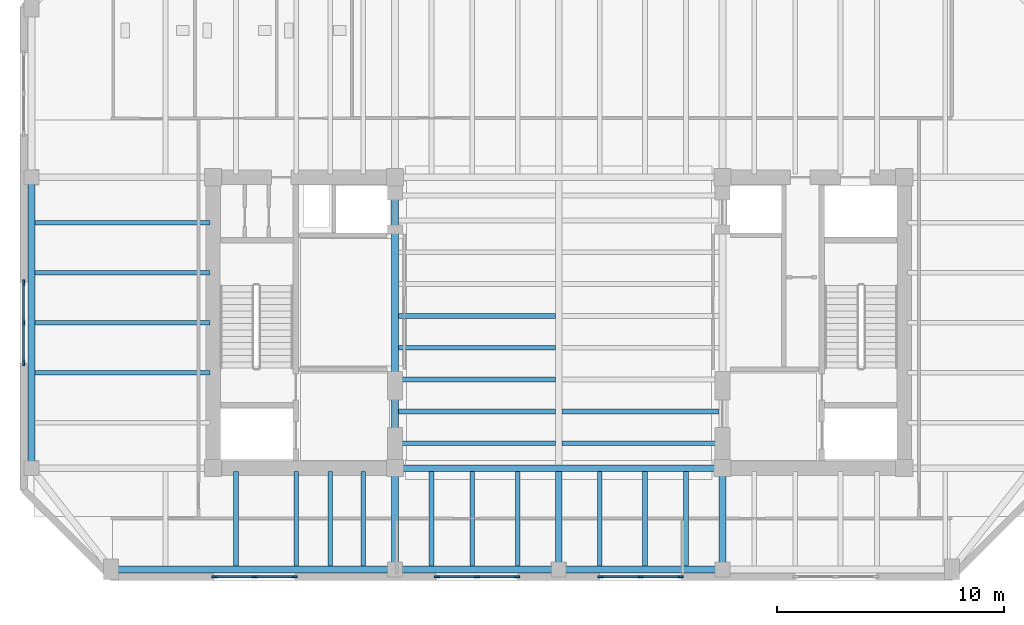
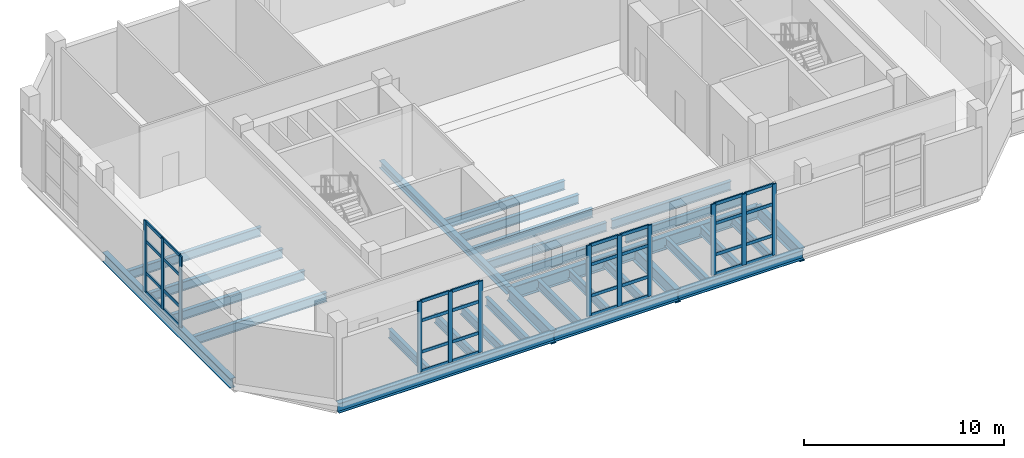
# One storey, part 2 of 11: 44 members, 30 beams, 4 elements without a shape of their own.
"""IFC4 building model written with IfcOpenShell, lengths in metres."""

from ifc_helpers import new_model, si_unit, direction, frame, origin, origin_2d, place, context, subcontext, project, spatial, rectangle, i_section, extrude, material, layer, layer_set, material_profile, profile_set, type_object, element, aggregate, save


model = new_model("IFC4")

# Units and contexts
model_context = context("Model", 3, precision=1e-05, world=origin(), true_north=direction((0.0, 1.0)))
body_context = subcontext(model_context, "Body", "Model", "MODEL_VIEW")
ifc_project = project(units=[si_unit("LENGTHUNIT", "METRE"), si_unit("AREAUNIT", "SQUARE_METRE"), si_unit("VOLUMEUNIT", "CUBIC_METRE"), si_unit("PLANEANGLEUNIT", "RADIAN"), si_unit("MASSUNIT", "GRAM", prefix="KILO")], contexts=[model_context])

# Site, building, storey
site_placement = place(None, origin())
site = spatial("IfcSite", under=ifc_project, at=site_placement, CompositionType="ELEMENT")
building_placement = place(site_placement, origin())
building = spatial("IfcBuilding", under=site, at=building_placement, Name="Kranthara Brick Stack", CompositionType="ELEMENT")
storey_placement = place(building_placement, frame((0.0, 0.0, 287.39990234375)))
storey = spatial("IfcBuildingStorey", under=building, at=storey_placement, Name="L76", CompositionType="ELEMENT", Elevation=287.39990234375)

# Beams
ifc_material_1 = material(Name="Steel S355", Category="steel")
ifc_material_profile_1 = material_profile(ifc_material_1, i_section(OverallWidth=0.2099609375, OverallDepth=0.550048828125, WebThickness=0.010986328125, FlangeThickness=0.01708984375, at=origin_2d()), Name="IPE 550")
ifc_profile_set_1 = profile_set([ifc_material_profile_1], Name="Steel S355")
beam_type_1 = type_object("IfcBeamType", Name="BM-JST-IPE550", PredefinedType="JOIST", material=ifc_profile_set_1)
for number, where, z_axis, x_axis, name in (
    (1, (20.949951171875, 21.89990234375, -0.724853515625), (1.0, 0.0, 0.0), (0.0, 1.0, 0.0), "L76 Central Floor Joist 032"),
    (2, (28.14990234375, 21.89990234375, -0.724853515625), (1.0, 0.0, 0.0), (0.0, 1.0, 0.0), "L76 Central Floor Joist 033"),
    (3, (20.949951171875, 23.300048828125, -0.724853515625), (1.0, 0.0, 0.0), (0.0, 1.0, 0.0), "L76 Central Floor Joist 034"),
    (4, (28.14990234375, 23.300048828125, -0.724853515625), (1.0, 0.0, 0.0), (0.0, 1.0, 0.0), "L76 Central Floor Joist 035"),
    (5, (20.949951171875, 24.699951171875, -0.724853515625), (1.0, 0.0, 0.0), (0.0, 1.0, 0.0), "L76 Central Floor Joist 036"),
    (6, (20.949951171875, 26.10009765625, -0.724853515625), (1.0, 0.0, 0.0), (0.0, 1.0, 0.0), "L76 Central Floor Joist 038"),
    (7, (20.949951171875, 27.5, -0.724853515625), (1.0, 0.0, 0.0), (0.0, 1.0, 0.0), "L76 Central Floor Joist 040"),
):
    element("IfcBeam", number, at=place(storey_placement, frame(where, z_axis=z_axis, x_axis=x_axis)), inside=storey, type_object=beam_type_1, Name=name, PredefinedType="JOIST", context=body_context, shape_type="SweptSolid", body=[
        extrude(i_section(OverallWidth=0.2099609375, OverallDepth=0.550048828125, WebThickness=0.010986328125, FlangeThickness=0.01708984375, at=origin_2d()), origin(), (0.0, 0.0, 1.0), 6.900146484375),
    ])
for number, where, z_axis, x_axis, name in (
    (8, (13.800048828125, 16.5, -0.724853515625), (0.0, 1.0, 0.0), (-1.0, 0.0, 0.0), "L76 South Wing Floor Joist 052"),
    (9, (16.449951171875, 16.5, -0.724853515625), (0.0, 1.0, 0.0), (-1.0, 0.0, 0.0), "L76 South Wing Floor Joist 054"),
    (10, (17.949951171875, 16.5, -0.724853515625), (0.0, 1.0, 0.0), (-1.0, 0.0, 0.0), "L76 South Wing Floor Joist 056"),
    (11, (19.39990234375, 16.5, -0.724853515625), (0.0, 1.0, 0.0), (-1.0, 0.0, 0.0), "L76 South Wing Floor Joist 058"),
    (12, (22.39990234375, 16.5, -0.724853515625), (0.0, 1.0, 0.0), (-1.0, 0.0, 0.0), "L76 South Wing Floor Joist 060"),
    (13, (24.199951171875, 16.5, -0.724853515625), (0.0, 1.0, 0.0), (-1.0, 0.0, 0.0), "L76 South Wing Floor Joist 062"),
    (14, (26.199951171875, 16.5, -0.724853515625), (0.0, 1.0, 0.0), (-1.0, 0.0, 0.0), "L76 South Wing Floor Joist 064"),
    (15, (29.800048828125, 16.5, -0.724853515625), (0.0, 1.0, 0.0), (-1.0, 0.0, 0.0), "L76 South Wing Floor Joist 066"),
    (16, (31.800048828125, 16.5, -0.724853515625), (0.0, 1.0, 0.0), (-1.0, 0.0, 0.0), "L76 South Wing Floor Joist 068"),
    (17, (33.60009765625, 16.5, -0.724853515625), (0.0, 1.0, 0.0), (-1.0, 0.0, 0.0), "L76 South Wing Floor Joist 070"),
):
    element("IfcBeam", number, at=place(storey_placement, frame(where, z_axis=z_axis, x_axis=x_axis)), inside=storey, type_object=beam_type_1, Name=name, PredefinedType="JOIST", context=body_context, shape_type="SweptSolid", body=[
        extrude(i_section(OverallWidth=0.2099609375, OverallDepth=0.550048828125, WebThickness=0.010986328125, FlangeThickness=0.01708984375, at=origin_2d()), origin(), (0.0, 0.0, 1.0), 4.14990234375),
    ])
for number, where, z_axis, x_axis, name in (
    (18, (4.949951171875, 25.0, -0.724853515625), (1.0, 0.0, 0.0), (0.0, 1.0, 0.0), "L76 West Wing Floor Joist 084"),
    (19, (4.949951171875, 27.199951171875, -0.724853515625), (1.0, 0.0, 0.0), (0.0, 1.0, 0.0), "L76 West Wing Floor Joist 086"),
    (20, (4.949951171875, 29.39990234375, -0.724853515625), (1.0, 0.0, 0.0), (0.0, 1.0, 0.0), "L76 West Wing Floor Joist 088"),
    (21, (4.949951171875, 31.60009765625, -0.724853515625), (1.0, 0.0, 0.0), (0.0, 1.0, 0.0), "L76 West Wing Floor Joist 090"),
):
    element("IfcBeam", number, at=place(storey_placement, frame(where, z_axis=z_axis, x_axis=x_axis)), inside=storey, type_object=beam_type_1, Name=name, PredefinedType="JOIST", context=body_context, shape_type="SweptSolid", body=[
        extrude(i_section(OverallWidth=0.2099609375, OverallDepth=0.550048828125, WebThickness=0.010986328125, FlangeThickness=0.01708984375, at=origin_2d()), origin(), (0.0, 0.0, 1.0), 7.699951171875),
    ])
ifc_material_2 = material(Name="Steel S355", Category="steel")
ifc_material_profile_2 = material_profile(ifc_material_2, i_section(OverallWidth=0.300048828125, OverallDepth=0.449951171875, WebThickness=0.013916015625, FlangeThickness=0.02587890625, at=origin_2d()), Name="HEB 450")
ifc_profile_set_2 = profile_set([ifc_material_profile_2], Name="Steel S355")
beam_type_2 = type_object("IfcBeamType", Name="BM-STL-HEB450", PredefinedType="SPANDREL", material=ifc_profile_set_2)
beam_1_placement = place(storey_placement, frame((20.800048828125, 20.800048828125, -0.6748046875), z_axis=(0.0, 1.0, 0.0), x_axis=(-1.0, 0.0, 0.0)))
element("IfcBeam", 22, at=beam_1_placement, inside=storey, type_object=beam_type_2, Name="L76 Core Edge Tie Beam 003", PredefinedType="SPANDREL", context=body_context, shape_type="SweptSolid", body=[
    extrude(i_section(OverallWidth=0.300048828125, OverallDepth=0.449951171875, WebThickness=0.013916015625, FlangeThickness=0.02587890625, at=origin_2d()), origin(), (0.0, 0.0, 1.0), 12.800048828125),
])
ifc_material_3 = material(Name="Steel S355", Category="steel")
ifc_material_profile_3 = material_profile(ifc_material_3, i_section(OverallWidth=0.300048828125, OverallDepth=0.60009765625, WebThickness=0.015380859375, FlangeThickness=0.030029296875, at=origin_2d()), Name="HEB 600")
ifc_profile_set_3 = profile_set([ifc_material_profile_3], Name="Steel S355")
beam_type_3 = type_object("IfcBeamType", Name="BM-STL-HEB600", PredefinedType="BEAM", material=ifc_profile_set_3)
beam_2_placement = place(storey_placement, frame((8.300048828125, 16.35009765625, -0.75), z_axis=(1.0, 0.0, 0.0), x_axis=(0.0, 1.0, 0.0)))
element("IfcBeam", 23, at=beam_2_placement, inside=storey, type_object=beam_type_3, Name="L76 Perimeter Spandrel Beam 005", PredefinedType="BEAM", context=body_context, shape_type="SweptSolid", body=[
    extrude(i_section(OverallWidth=0.300048828125, OverallDepth=0.60009765625, WebThickness=0.015380859375, FlangeThickness=0.030029296875, at=origin_2d()), origin(), (0.0, 0.0, 1.0), 12.5),
])
for number, where, z_axis, x_axis, name in (
    (24, (20.800048828125, 16.35009765625, -0.75), (1.0, 0.0, 0.0), (0.0, 1.0, 0.0), "L76 Perimeter Spandrel Beam 006"),
    (25, (28.0, 16.35009765625, -0.75), (1.0, 0.0, 0.0), (0.0, 1.0, 0.0), "L76 Perimeter Spandrel Beam 007"),
):
    element("IfcBeam", number, at=place(storey_placement, frame(where, z_axis=z_axis, x_axis=x_axis)), inside=storey, type_object=beam_type_3, Name=name, PredefinedType="BEAM", context=body_context, shape_type="SweptSolid", body=[
        extrude(i_section(OverallWidth=0.300048828125, OverallDepth=0.60009765625, WebThickness=0.015380859375, FlangeThickness=0.030029296875, at=origin_2d()), origin(), (0.0, 0.0, 1.0), 7.199951171875),
    ])
beam_3_placement = place(storey_placement, frame((4.800048828125, 20.800048828125, -0.75), z_axis=(0.0, 1.0, 0.0), x_axis=(-1.0, 0.0, 0.0)))
element("IfcBeam", 26, at=beam_3_placement, inside=storey, type_object=beam_type_3, Name="L76 Perimeter Spandrel Beam 013", PredefinedType="BEAM", context=body_context, shape_type="SweptSolid", body=[
    extrude(i_section(OverallWidth=0.300048828125, OverallDepth=0.60009765625, WebThickness=0.015380859375, FlangeThickness=0.030029296875, at=origin_2d()), origin(), (0.0, 0.0, 1.0), 12.800048828125),
])
ifc_material_4 = material(Name="Steel S355", Category="steel")
ifc_material_profile_4 = material_profile(ifc_material_4, i_section(OverallWidth=0.300048828125, OverallDepth=0.800048828125, WebThickness=0.017578125, FlangeThickness=0.032958984375, at=origin_2d()), Name="HEB 800")
ifc_profile_set_4 = profile_set([ifc_material_profile_4], Name="Steel S355")
beam_type_4 = type_object("IfcBeamType", Name="BM-TR-HEB800", PredefinedType="BEAM", material=ifc_profile_set_4)
beam_4_placement = place(storey_placement, frame((20.800048828125, 20.800048828125, -0.849853515625), z_axis=(1.0, 0.0, 0.0), x_axis=(0.0, 1.0, 0.0)))
element("IfcBeam", 27, at=beam_4_placement, inside=storey, type_object=beam_type_4, Name="L76 Core Coupling Beam 001", PredefinedType="BEAM", context=body_context, shape_type="SweptSolid", body=[
    extrude(i_section(OverallWidth=0.300048828125, OverallDepth=0.800048828125, WebThickness=0.017578125, FlangeThickness=0.032958984375, at=origin_2d()), origin(), (0.0, 0.0, 1.0), 14.39990234375),
])
beam_5_placement = place(storey_placement, frame((20.800048828125, 16.35009765625, -0.849853515625), z_axis=(0.0, 1.0, 0.0), x_axis=(-1.0, 0.0, 0.0)))
element("IfcBeam", 28, at=beam_5_placement, inside=storey, type_object=beam_type_4, Name="L76 Primary Grid Girder 021", PredefinedType="BEAM", context=body_context, shape_type="SweptSolid", body=[
    extrude(i_section(OverallWidth=0.300048828125, OverallDepth=0.800048828125, WebThickness=0.017578125, FlangeThickness=0.032958984375, at=origin_2d()), origin(), (0.0, 0.0, 1.0), 4.449951171875),
])
beam_6_placement = place(storey_placement, frame((28.0, 16.35009765625, -0.849853515625), z_axis=(0.0, 1.0, 0.0), x_axis=(-1.0, 0.0, 0.0)))
element("IfcBeam", 29, at=beam_6_placement, inside=storey, type_object=beam_type_4, Name="L76 Primary Grid Girder 023", PredefinedType="BEAM", context=body_context, shape_type="SweptSolid", body=[
    extrude(i_section(OverallWidth=0.300048828125, OverallDepth=0.800048828125, WebThickness=0.017578125, FlangeThickness=0.032958984375, at=origin_2d()), origin(), (0.0, 0.0, 1.0), 4.2998046875),
])
beam_7_placement = place(storey_placement, frame((35.199951171875, 16.35009765625, -0.849853515625), z_axis=(0.0, 1.0, 0.0), x_axis=(-1.0, 0.0, 0.0)))
element("IfcBeam", 30, at=beam_7_placement, inside=storey, type_object=beam_type_4, Name="L76 Primary Grid Girder 026", PredefinedType="BEAM", context=body_context, shape_type="SweptSolid", body=[
    extrude(i_section(OverallWidth=0.300048828125, OverallDepth=0.800048828125, WebThickness=0.017578125, FlangeThickness=0.032958984375, at=origin_2d()), origin(), (0.0, 0.0, 1.0), 4.449951171875),
])

# Curtain wall, members
ifc_material_5 = material(Name="Bronze anodised aluminium and low-E glass", Category="aluminium")
ifc_layer = layer(ifc_material_5, 0.239990234375)
ifc_layer_set = layer_set([ifc_layer], Name="Bronze anodised aluminium and low-E glass")
curtain_wall_type = type_object("IfcCurtainWallType", Name="CW-SYS5-SKYPOOL", PredefinedType="USERDEFINED", material=ifc_layer_set)
curtain_wall_1_placement = place(storey_placement, origin())
curtain_wall_1 = element("IfcCurtainWall", 31, at=curtain_wall_1_placement, inside=storey, type_object=curtain_wall_type, Name="L76 Curtain Wall CW5-L76-02", ObjectType="UNITISED CURTAIN WALL", PredefinedType="USERDEFINED")
ifc_material_6 = material(Name="Bronze anodised aluminium 6063-T6", Category="aluminium")
ifc_material_profile_5 = material_profile(ifc_material_6, rectangle(XDim=0.080078125, YDim=0.25, at=origin_2d()), Name="ALU MULLION 80x250")
ifc_profile_set_5 = profile_set([ifc_material_profile_5], Name="Bronze anodised aluminium 6063-T6")
member_type_1 = type_object("IfcMemberType", Name="CWM-80x250", PredefinedType="MULLION", material=ifc_profile_set_5)
member_1_placement = place(storey_placement, frame((33.360107421875, 16.02001953125, 0.0), z_axis=(0.0, 0.0, 1.0), x_axis=(0.0, -1.0, 0.0)))
member_1 = element("IfcMember", 32, at=member_1_placement, type_object=member_type_1, Name="CW mullion 1", PredefinedType="MULLION", context=body_context, shape_type="SweptSolid", body=[
    extrude(rectangle(XDim=0.080078125, YDim=0.25, at=origin_2d()), origin(), (0.0, 0.0, 1.0), 4.35009765625),
])
member_2_placement = place(storey_placement, frame((31.60009765625, 16.02001953125, 0.0), z_axis=(0.0, 0.0, 1.0), x_axis=(0.0, -1.0, 0.0)))
member_2 = element("IfcMember", 33, at=member_2_placement, type_object=member_type_1, Name="CW mullion 2", PredefinedType="MULLION", context=body_context, shape_type="SweptSolid", body=[
    extrude(rectangle(XDim=0.080078125, YDim=0.25, at=origin_2d()), origin(), (0.0, 0.0, 1.0), 4.35009765625),
])
member_3_placement = place(storey_placement, frame((29.840087890625, 16.02001953125, 0.0), z_axis=(0.0, 0.0, 1.0), x_axis=(0.0, -1.0, 0.0)))
member_3 = element("IfcMember", 34, at=member_3_placement, type_object=member_type_1, Name="CW mullion 3", PredefinedType="MULLION", context=body_context, shape_type="SweptSolid", body=[
    extrude(rectangle(XDim=0.080078125, YDim=0.25, at=origin_2d()), origin(), (0.0, 0.0, 1.0), 4.35009765625),
])

curtain_wall_2_placement = place(storey_placement, origin())
curtain_wall_2 = element("IfcCurtainWall", 35, at=curtain_wall_2_placement, inside=storey, type_object=curtain_wall_type, Name="L76 Curtain Wall CW5-L76-03", ObjectType="UNITISED CURTAIN WALL", PredefinedType="USERDEFINED")
member_4_placement = place(storey_placement, frame((26.159912109375, 16.02001953125, 0.0), z_axis=(0.0, 0.0, 1.0), x_axis=(0.0, -1.0, 0.0)))
member_4 = element("IfcMember", 36, at=member_4_placement, type_object=member_type_1, Name="CW mullion 1", PredefinedType="MULLION", context=body_context, shape_type="SweptSolid", body=[
    extrude(rectangle(XDim=0.080078125, YDim=0.25, at=origin_2d()), origin(), (0.0, 0.0, 1.0), 4.35009765625),
])
member_5_placement = place(storey_placement, frame((24.39990234375, 16.02001953125, 0.0), z_axis=(0.0, 0.0, 1.0), x_axis=(0.0, -1.0, 0.0)))
member_5 = element("IfcMember", 37, at=member_5_placement, type_object=member_type_1, Name="CW mullion 2", PredefinedType="MULLION", context=body_context, shape_type="SweptSolid", body=[
    extrude(rectangle(XDim=0.080078125, YDim=0.25, at=origin_2d()), origin(), (0.0, 0.0, 1.0), 4.35009765625),
])
member_6_placement = place(storey_placement, frame((22.639892578125, 16.02001953125, 0.0), z_axis=(0.0, 0.0, 1.0), x_axis=(0.0, -1.0, 0.0)))
member_6 = element("IfcMember", 38, at=member_6_placement, type_object=member_type_1, Name="CW mullion 3", PredefinedType="MULLION", context=body_context, shape_type="SweptSolid", body=[
    extrude(rectangle(XDim=0.080078125, YDim=0.25, at=origin_2d()), origin(), (0.0, 0.0, 1.0), 4.35009765625),
])

curtain_wall_3_placement = place(storey_placement, origin())
curtain_wall_3 = element("IfcCurtainWall", 39, at=curtain_wall_3_placement, inside=storey, type_object=curtain_wall_type, Name="L76 Curtain Wall CW5-L76-04", ObjectType="UNITISED CURTAIN WALL", PredefinedType="USERDEFINED")
member_7_placement = place(storey_placement, frame((16.373046875, 16.02001953125, 0.0), z_axis=(0.0, 0.0, 1.0), x_axis=(0.0, -1.0, 0.0)))
member_7 = element("IfcMember", 40, at=member_7_placement, type_object=member_type_1, Name="CW mullion 1", PredefinedType="MULLION", context=body_context, shape_type="SweptSolid", body=[
    extrude(rectangle(XDim=0.080078125, YDim=0.25, at=origin_2d()), origin(), (0.0, 0.0, 1.0), 4.35009765625),
])
member_8_placement = place(storey_placement, frame((14.613037109375, 16.02001953125, 0.0), z_axis=(0.0, 0.0, 1.0), x_axis=(0.0, -1.0, 0.0)))
member_8 = element("IfcMember", 41, at=member_8_placement, type_object=member_type_1, Name="CW mullion 2", PredefinedType="MULLION", context=body_context, shape_type="SweptSolid", body=[
    extrude(rectangle(XDim=0.080078125, YDim=0.25, at=origin_2d()), origin(), (0.0, 0.0, 1.0), 4.35009765625),
])
member_9_placement = place(storey_placement, frame((12.85302734375, 16.02001953125, 0.0), z_axis=(0.0, 0.0, 1.0), x_axis=(0.0, -1.0, 0.0)))
member_9 = element("IfcMember", 42, at=member_9_placement, type_object=member_type_1, Name="CW mullion 3", PredefinedType="MULLION", context=body_context, shape_type="SweptSolid", body=[
    extrude(rectangle(XDim=0.080078125, YDim=0.25, at=origin_2d()), origin(), (0.0, 0.0, 1.0), 4.35009765625),
])

curtain_wall_4_placement = place(storey_placement, origin())
curtain_wall_4 = element("IfcCurtainWall", 43, at=curtain_wall_4_placement, inside=storey, type_object=curtain_wall_type, Name="L76 Curtain Wall CW5-L76-05", ObjectType="UNITISED CURTAIN WALL", PredefinedType="USERDEFINED")
member_10_placement = place(storey_placement, frame((4.469970703125, 25.43994140625, 0.0), z_axis=(0.0, 0.0, 1.0), x_axis=(-1.0, 0.0, 0.0)))
member_10 = element("IfcMember", 44, at=member_10_placement, type_object=member_type_1, Name="CW mullion 1", PredefinedType="MULLION", context=body_context, shape_type="SweptSolid", body=[
    extrude(rectangle(XDim=0.080078125, YDim=0.25, at=origin_2d()), origin(), (0.0, 0.0, 1.0), 4.35009765625),
])
member_11_placement = place(storey_placement, frame((4.469970703125, 27.199951171875, 0.0), z_axis=(0.0, 0.0, 1.0), x_axis=(-1.0, 0.0, 0.0)))
member_11 = element("IfcMember", 45, at=member_11_placement, type_object=member_type_1, Name="CW mullion 2", PredefinedType="MULLION", context=body_context, shape_type="SweptSolid", body=[
    extrude(rectangle(XDim=0.080078125, YDim=0.25, at=origin_2d()), origin(), (0.0, 0.0, 1.0), 4.35009765625),
])
member_12_placement = place(storey_placement, frame((4.469970703125, 28.9599609375, 0.0), z_axis=(0.0, 0.0, 1.0), x_axis=(-1.0, 0.0, 0.0)))
member_12 = element("IfcMember", 46, at=member_12_placement, type_object=member_type_1, Name="CW mullion 3", PredefinedType="MULLION", context=body_context, shape_type="SweptSolid", body=[
    extrude(rectangle(XDim=0.080078125, YDim=0.25, at=origin_2d()), origin(), (0.0, 0.0, 1.0), 4.35009765625),
])

# Member
ifc_material_7 = material(Name="Bronze anodised aluminium 6063-T6", Category="aluminium")
ifc_material_profile_6 = material_profile(ifc_material_7, rectangle(XDim=0.080078125, YDim=0.18994140625, at=origin_2d()), Name="ALU TRANSOM 80x190")
ifc_profile_set_6 = profile_set([ifc_material_profile_6], Name="Bronze anodised aluminium 6063-T6")
member_type_2 = type_object("IfcMemberType", Name="CWT-80x190", PredefinedType="USERDEFINED", material=ifc_profile_set_6)
member_13_placement = place(storey_placement, frame((33.320068359375, 16.02001953125, 0.0400390625), z_axis=(-1.0, 0.0, 0.0), x_axis=(0.0, -1.0, 0.0)))
member_13 = element("IfcMember", 47, at=member_13_placement, type_object=member_type_2, Name="CW transom 1.1", ObjectType="TRANSOM", PredefinedType="USERDEFINED", context=body_context, shape_type="SweptSolid", body=[
    extrude(rectangle(XDim=0.080078125, YDim=0.18994140625, at=origin_2d()), origin(), (0.0, 0.0, 1.0), 1.68017578125),
])

member_14_placement = place(storey_placement, frame((33.320068359375, 16.02001953125, 1.218017578125), z_axis=(-1.0, 0.0, 0.0), x_axis=(0.0, -1.0, 0.0)))
member_14 = element("IfcMember", 48, at=member_14_placement, type_object=member_type_2, Name="CW transom 1.2", ObjectType="TRANSOM", PredefinedType="USERDEFINED", context=body_context, shape_type="SweptSolid", body=[
    extrude(rectangle(XDim=0.080078125, YDim=0.18994140625, at=origin_2d()), origin(), (0.0, 0.0, 1.0), 1.68017578125),
])

member_15_placement = place(storey_placement, frame((33.320068359375, 16.02001953125, 3.132080078125), z_axis=(-1.0, 0.0, 0.0), x_axis=(0.0, -1.0, 0.0)))
member_15 = element("IfcMember", 49, at=member_15_placement, type_object=member_type_2, Name="CW transom 1.3", ObjectType="TRANSOM", PredefinedType="USERDEFINED", context=body_context, shape_type="SweptSolid", body=[
    extrude(rectangle(XDim=0.080078125, YDim=0.18994140625, at=origin_2d()), origin(), (0.0, 0.0, 1.0), 1.68017578125),
])

member_16_placement = place(storey_placement, frame((33.320068359375, 16.02001953125, 4.31005859375), z_axis=(-1.0, 0.0, 0.0), x_axis=(0.0, -1.0, 0.0)))
member_16 = element("IfcMember", 50, at=member_16_placement, type_object=member_type_2, Name="CW transom 1.4", ObjectType="TRANSOM", PredefinedType="USERDEFINED", context=body_context, shape_type="SweptSolid", body=[
    extrude(rectangle(XDim=0.080078125, YDim=0.18994140625, at=origin_2d()), origin(), (0.0, 0.0, 1.0), 1.68017578125),
])

member_17_placement = place(storey_placement, frame((31.56005859375, 16.02001953125, 0.0400390625), z_axis=(-1.0, 0.0, 0.0), x_axis=(0.0, -1.0, 0.0)))
member_17 = element("IfcMember", 51, at=member_17_placement, type_object=member_type_2, Name="CW transom 2.1", ObjectType="TRANSOM", PredefinedType="USERDEFINED", context=body_context, shape_type="SweptSolid", body=[
    extrude(rectangle(XDim=0.080078125, YDim=0.18994140625, at=origin_2d()), origin(), (0.0, 0.0, 1.0), 1.68017578125),
])

member_18_placement = place(storey_placement, frame((31.56005859375, 16.02001953125, 1.218017578125), z_axis=(-1.0, 0.0, 0.0), x_axis=(0.0, -1.0, 0.0)))
member_18 = element("IfcMember", 52, at=member_18_placement, type_object=member_type_2, Name="CW transom 2.2", ObjectType="TRANSOM", PredefinedType="USERDEFINED", context=body_context, shape_type="SweptSolid", body=[
    extrude(rectangle(XDim=0.080078125, YDim=0.18994140625, at=origin_2d()), origin(), (0.0, 0.0, 1.0), 1.68017578125),
])

member_19_placement = place(storey_placement, frame((31.56005859375, 16.02001953125, 3.132080078125), z_axis=(-1.0, 0.0, 0.0), x_axis=(0.0, -1.0, 0.0)))
member_19 = element("IfcMember", 53, at=member_19_placement, type_object=member_type_2, Name="CW transom 2.3", ObjectType="TRANSOM", PredefinedType="USERDEFINED", context=body_context, shape_type="SweptSolid", body=[
    extrude(rectangle(XDim=0.080078125, YDim=0.18994140625, at=origin_2d()), origin(), (0.0, 0.0, 1.0), 1.68017578125),
])

member_20_placement = place(storey_placement, frame((31.56005859375, 16.02001953125, 4.31005859375), z_axis=(-1.0, 0.0, 0.0), x_axis=(0.0, -1.0, 0.0)))
member_20 = element("IfcMember", 54, at=member_20_placement, type_object=member_type_2, Name="CW transom 2.4", ObjectType="TRANSOM", PredefinedType="USERDEFINED", context=body_context, shape_type="SweptSolid", body=[
    extrude(rectangle(XDim=0.080078125, YDim=0.18994140625, at=origin_2d()), origin(), (0.0, 0.0, 1.0), 1.68017578125),
])

aggregate(curtain_wall_1, [member_1, member_2, member_3, member_13, member_14, member_15, member_16, member_17, member_18, member_19, member_20])

member_21_placement = place(storey_placement, frame((26.1201171875, 16.02001953125, 0.0400390625), z_axis=(-1.0, 0.0, 0.0), x_axis=(0.0, -1.0, 0.0)))
member_21 = element("IfcMember", 55, at=member_21_placement, type_object=member_type_2, Name="CW transom 1.1", ObjectType="TRANSOM", PredefinedType="USERDEFINED", context=body_context, shape_type="SweptSolid", body=[
    extrude(rectangle(XDim=0.080078125, YDim=0.18994140625, at=origin_2d()), origin(), (0.0, 0.0, 1.0), 1.68017578125),
])

member_22_placement = place(storey_placement, frame((26.1201171875, 16.02001953125, 1.218017578125), z_axis=(-1.0, 0.0, 0.0), x_axis=(0.0, -1.0, 0.0)))
member_22 = element("IfcMember", 56, at=member_22_placement, type_object=member_type_2, Name="CW transom 1.2", ObjectType="TRANSOM", PredefinedType="USERDEFINED", context=body_context, shape_type="SweptSolid", body=[
    extrude(rectangle(XDim=0.080078125, YDim=0.18994140625, at=origin_2d()), origin(), (0.0, 0.0, 1.0), 1.68017578125),
])

member_23_placement = place(storey_placement, frame((26.1201171875, 16.02001953125, 3.132080078125), z_axis=(-1.0, 0.0, 0.0), x_axis=(0.0, -1.0, 0.0)))
member_23 = element("IfcMember", 57, at=member_23_placement, type_object=member_type_2, Name="CW transom 1.3", ObjectType="TRANSOM", PredefinedType="USERDEFINED", context=body_context, shape_type="SweptSolid", body=[
    extrude(rectangle(XDim=0.080078125, YDim=0.18994140625, at=origin_2d()), origin(), (0.0, 0.0, 1.0), 1.68017578125),
])

member_24_placement = place(storey_placement, frame((26.1201171875, 16.02001953125, 4.31005859375), z_axis=(-1.0, 0.0, 0.0), x_axis=(0.0, -1.0, 0.0)))
member_24 = element("IfcMember", 58, at=member_24_placement, type_object=member_type_2, Name="CW transom 1.4", ObjectType="TRANSOM", PredefinedType="USERDEFINED", context=body_context, shape_type="SweptSolid", body=[
    extrude(rectangle(XDim=0.080078125, YDim=0.18994140625, at=origin_2d()), origin(), (0.0, 0.0, 1.0), 1.68017578125),
])

member_25_placement = place(storey_placement, frame((24.360107421875, 16.02001953125, 0.0400390625), z_axis=(-1.0, 0.0, 0.0), x_axis=(0.0, -1.0, 0.0)))
member_25 = element("IfcMember", 59, at=member_25_placement, type_object=member_type_2, Name="CW transom 2.1", ObjectType="TRANSOM", PredefinedType="USERDEFINED", context=body_context, shape_type="SweptSolid", body=[
    extrude(rectangle(XDim=0.080078125, YDim=0.18994140625, at=origin_2d()), origin(), (0.0, 0.0, 1.0), 1.68017578125),
])

member_26_placement = place(storey_placement, frame((24.360107421875, 16.02001953125, 1.218017578125), z_axis=(-1.0, 0.0, 0.0), x_axis=(0.0, -1.0, 0.0)))
member_26 = element("IfcMember", 60, at=member_26_placement, type_object=member_type_2, Name="CW transom 2.2", ObjectType="TRANSOM", PredefinedType="USERDEFINED", context=body_context, shape_type="SweptSolid", body=[
    extrude(rectangle(XDim=0.080078125, YDim=0.18994140625, at=origin_2d()), origin(), (0.0, 0.0, 1.0), 1.68017578125),
])

member_27_placement = place(storey_placement, frame((24.360107421875, 16.02001953125, 3.132080078125), z_axis=(-1.0, 0.0, 0.0), x_axis=(0.0, -1.0, 0.0)))
member_27 = element("IfcMember", 61, at=member_27_placement, type_object=member_type_2, Name="CW transom 2.3", ObjectType="TRANSOM", PredefinedType="USERDEFINED", context=body_context, shape_type="SweptSolid", body=[
    extrude(rectangle(XDim=0.080078125, YDim=0.18994140625, at=origin_2d()), origin(), (0.0, 0.0, 1.0), 1.68017578125),
])

member_28_placement = place(storey_placement, frame((24.360107421875, 16.02001953125, 4.31005859375), z_axis=(-1.0, 0.0, 0.0), x_axis=(0.0, -1.0, 0.0)))
member_28 = element("IfcMember", 62, at=member_28_placement, type_object=member_type_2, Name="CW transom 2.4", ObjectType="TRANSOM", PredefinedType="USERDEFINED", context=body_context, shape_type="SweptSolid", body=[
    extrude(rectangle(XDim=0.080078125, YDim=0.18994140625, at=origin_2d()), origin(), (0.0, 0.0, 1.0), 1.68017578125),
])

aggregate(curtain_wall_2, [member_4, member_5, member_6, member_21, member_22, member_23, member_24, member_25, member_26, member_27, member_28])

member_29_placement = place(storey_placement, frame((16.3330078125, 16.02001953125, 0.0400390625), z_axis=(-1.0, 0.0, 0.0), x_axis=(0.0, -1.0, 0.0)))
member_29 = element("IfcMember", 63, at=member_29_placement, type_object=member_type_2, Name="CW transom 1.1", ObjectType="TRANSOM", PredefinedType="USERDEFINED", context=body_context, shape_type="SweptSolid", body=[
    extrude(rectangle(XDim=0.080078125, YDim=0.18994140625, at=origin_2d()), origin(), (0.0, 0.0, 1.0), 1.679931640625),
])

member_30_placement = place(storey_placement, frame((16.3330078125, 16.02001953125, 1.218017578125), z_axis=(-1.0, 0.0, 0.0), x_axis=(0.0, -1.0, 0.0)))
member_30 = element("IfcMember", 64, at=member_30_placement, type_object=member_type_2, Name="CW transom 1.2", ObjectType="TRANSOM", PredefinedType="USERDEFINED", context=body_context, shape_type="SweptSolid", body=[
    extrude(rectangle(XDim=0.080078125, YDim=0.18994140625, at=origin_2d()), origin(), (0.0, 0.0, 1.0), 1.679931640625),
])

member_31_placement = place(storey_placement, frame((16.3330078125, 16.02001953125, 3.132080078125), z_axis=(-1.0, 0.0, 0.0), x_axis=(0.0, -1.0, 0.0)))
member_31 = element("IfcMember", 65, at=member_31_placement, type_object=member_type_2, Name="CW transom 1.3", ObjectType="TRANSOM", PredefinedType="USERDEFINED", context=body_context, shape_type="SweptSolid", body=[
    extrude(rectangle(XDim=0.080078125, YDim=0.18994140625, at=origin_2d()), origin(), (0.0, 0.0, 1.0), 1.679931640625),
])

member_32_placement = place(storey_placement, frame((16.3330078125, 16.02001953125, 4.31005859375), z_axis=(-1.0, 0.0, 0.0), x_axis=(0.0, -1.0, 0.0)))
member_32 = element("IfcMember", 66, at=member_32_placement, type_object=member_type_2, Name="CW transom 1.4", ObjectType="TRANSOM", PredefinedType="USERDEFINED", context=body_context, shape_type="SweptSolid", body=[
    extrude(rectangle(XDim=0.080078125, YDim=0.18994140625, at=origin_2d()), origin(), (0.0, 0.0, 1.0), 1.679931640625),
])

member_33_placement = place(storey_placement, frame((14.572998046875, 16.02001953125, 0.0400390625), z_axis=(-1.0, 0.0, 0.0), x_axis=(0.0, -1.0, 0.0)))
member_33 = element("IfcMember", 67, at=member_33_placement, type_object=member_type_2, Name="CW transom 2.1", ObjectType="TRANSOM", PredefinedType="USERDEFINED", context=body_context, shape_type="SweptSolid", body=[
    extrude(rectangle(XDim=0.080078125, YDim=0.18994140625, at=origin_2d()), origin(), (0.0, 0.0, 1.0), 1.679931640625),
])

member_34_placement = place(storey_placement, frame((14.572998046875, 16.02001953125, 1.218017578125), z_axis=(-1.0, 0.0, 0.0), x_axis=(0.0, -1.0, 0.0)))
member_34 = element("IfcMember", 68, at=member_34_placement, type_object=member_type_2, Name="CW transom 2.2", ObjectType="TRANSOM", PredefinedType="USERDEFINED", context=body_context, shape_type="SweptSolid", body=[
    extrude(rectangle(XDim=0.080078125, YDim=0.18994140625, at=origin_2d()), origin(), (0.0, 0.0, 1.0), 1.679931640625),
])

member_35_placement = place(storey_placement, frame((14.572998046875, 16.02001953125, 3.132080078125), z_axis=(-1.0, 0.0, 0.0), x_axis=(0.0, -1.0, 0.0)))
member_35 = element("IfcMember", 69, at=member_35_placement, type_object=member_type_2, Name="CW transom 2.3", ObjectType="TRANSOM", PredefinedType="USERDEFINED", context=body_context, shape_type="SweptSolid", body=[
    extrude(rectangle(XDim=0.080078125, YDim=0.18994140625, at=origin_2d()), origin(), (0.0, 0.0, 1.0), 1.679931640625),
])

member_36_placement = place(storey_placement, frame((14.572998046875, 16.02001953125, 4.31005859375), z_axis=(-1.0, 0.0, 0.0), x_axis=(0.0, -1.0, 0.0)))
member_36 = element("IfcMember", 70, at=member_36_placement, type_object=member_type_2, Name="CW transom 2.4", ObjectType="TRANSOM", PredefinedType="USERDEFINED", context=body_context, shape_type="SweptSolid", body=[
    extrude(rectangle(XDim=0.080078125, YDim=0.18994140625, at=origin_2d()), origin(), (0.0, 0.0, 1.0), 1.679931640625),
])

aggregate(curtain_wall_3, [member_7, member_8, member_9, member_29, member_30, member_31, member_32, member_33, member_34, member_35, member_36])

member_37_placement = place(storey_placement, frame((4.469970703125, 25.47998046875, 0.0400390625), z_axis=(0.0, 1.0, 0.0), x_axis=(-1.0, 0.0, 0.0)))
member_37 = element("IfcMember", 71, at=member_37_placement, type_object=member_type_2, Name="CW transom 1.1", ObjectType="TRANSOM", PredefinedType="USERDEFINED", context=body_context, shape_type="SweptSolid", body=[
    extrude(rectangle(XDim=0.080078125, YDim=0.18994140625, at=origin_2d()), origin(), (0.0, 0.0, 1.0), 1.679931640625),
])

member_38_placement = place(storey_placement, frame((4.469970703125, 25.47998046875, 1.218017578125), z_axis=(0.0, 1.0, 0.0), x_axis=(-1.0, 0.0, 0.0)))
member_38 = element("IfcMember", 72, at=member_38_placement, type_object=member_type_2, Name="CW transom 1.2", ObjectType="TRANSOM", PredefinedType="USERDEFINED", context=body_context, shape_type="SweptSolid", body=[
    extrude(rectangle(XDim=0.080078125, YDim=0.18994140625, at=origin_2d()), origin(), (0.0, 0.0, 1.0), 1.679931640625),
])

member_39_placement = place(storey_placement, frame((4.469970703125, 25.47998046875, 3.132080078125), z_axis=(0.0, 1.0, 0.0), x_axis=(-1.0, 0.0, 0.0)))
member_39 = element("IfcMember", 73, at=member_39_placement, type_object=member_type_2, Name="CW transom 1.3", ObjectType="TRANSOM", PredefinedType="USERDEFINED", context=body_context, shape_type="SweptSolid", body=[
    extrude(rectangle(XDim=0.080078125, YDim=0.18994140625, at=origin_2d()), origin(), (0.0, 0.0, 1.0), 1.679931640625),
])

member_40_placement = place(storey_placement, frame((4.469970703125, 25.47998046875, 4.31005859375), z_axis=(0.0, 1.0, 0.0), x_axis=(-1.0, 0.0, 0.0)))
member_40 = element("IfcMember", 74, at=member_40_placement, type_object=member_type_2, Name="CW transom 1.4", ObjectType="TRANSOM", PredefinedType="USERDEFINED", context=body_context, shape_type="SweptSolid", body=[
    extrude(rectangle(XDim=0.080078125, YDim=0.18994140625, at=origin_2d()), origin(), (0.0, 0.0, 1.0), 1.679931640625),
])

member_41_placement = place(storey_placement, frame((4.469970703125, 27.239990234375, 0.0400390625), z_axis=(0.0, 1.0, 0.0), x_axis=(-1.0, 0.0, 0.0)))
member_41 = element("IfcMember", 75, at=member_41_placement, type_object=member_type_2, Name="CW transom 2.1", ObjectType="TRANSOM", PredefinedType="USERDEFINED", context=body_context, shape_type="SweptSolid", body=[
    extrude(rectangle(XDim=0.080078125, YDim=0.18994140625, at=origin_2d()), origin(), (0.0, 0.0, 1.0), 1.679931640625),
])

member_42_placement = place(storey_placement, frame((4.469970703125, 27.239990234375, 1.218017578125), z_axis=(0.0, 1.0, 0.0), x_axis=(-1.0, 0.0, 0.0)))
member_42 = element("IfcMember", 76, at=member_42_placement, type_object=member_type_2, Name="CW transom 2.2", ObjectType="TRANSOM", PredefinedType="USERDEFINED", context=body_context, shape_type="SweptSolid", body=[
    extrude(rectangle(XDim=0.080078125, YDim=0.18994140625, at=origin_2d()), origin(), (0.0, 0.0, 1.0), 1.679931640625),
])

member_43_placement = place(storey_placement, frame((4.469970703125, 27.239990234375, 3.132080078125), z_axis=(0.0, 1.0, 0.0), x_axis=(-1.0, 0.0, 0.0)))
member_43 = element("IfcMember", 77, at=member_43_placement, type_object=member_type_2, Name="CW transom 2.3", ObjectType="TRANSOM", PredefinedType="USERDEFINED", context=body_context, shape_type="SweptSolid", body=[
    extrude(rectangle(XDim=0.080078125, YDim=0.18994140625, at=origin_2d()), origin(), (0.0, 0.0, 1.0), 1.679931640625),
])

member_44_placement = place(storey_placement, frame((4.469970703125, 27.239990234375, 4.31005859375), z_axis=(0.0, 1.0, 0.0), x_axis=(-1.0, 0.0, 0.0)))
member_44 = element("IfcMember", 78, at=member_44_placement, type_object=member_type_2, Name="CW transom 2.4", ObjectType="TRANSOM", PredefinedType="USERDEFINED", context=body_context, shape_type="SweptSolid", body=[
    extrude(rectangle(XDim=0.080078125, YDim=0.18994140625, at=origin_2d()), origin(), (0.0, 0.0, 1.0), 1.679931640625),
])

aggregate(curtain_wall_4, [member_10, member_11, member_12, member_37, member_38, member_39, member_40, member_41, member_42, member_43, member_44])

save(model, "model.ifc")
